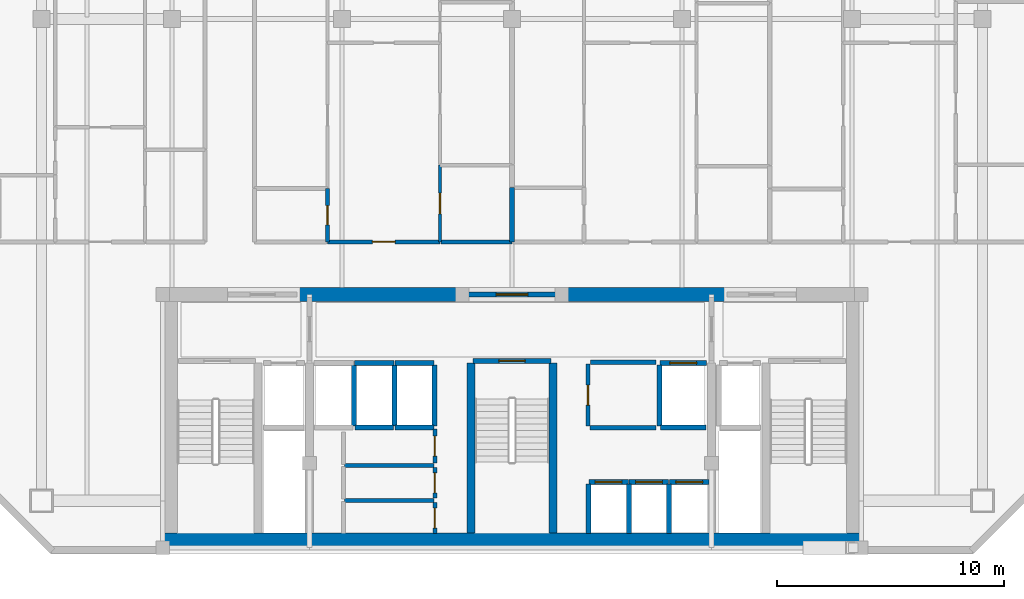
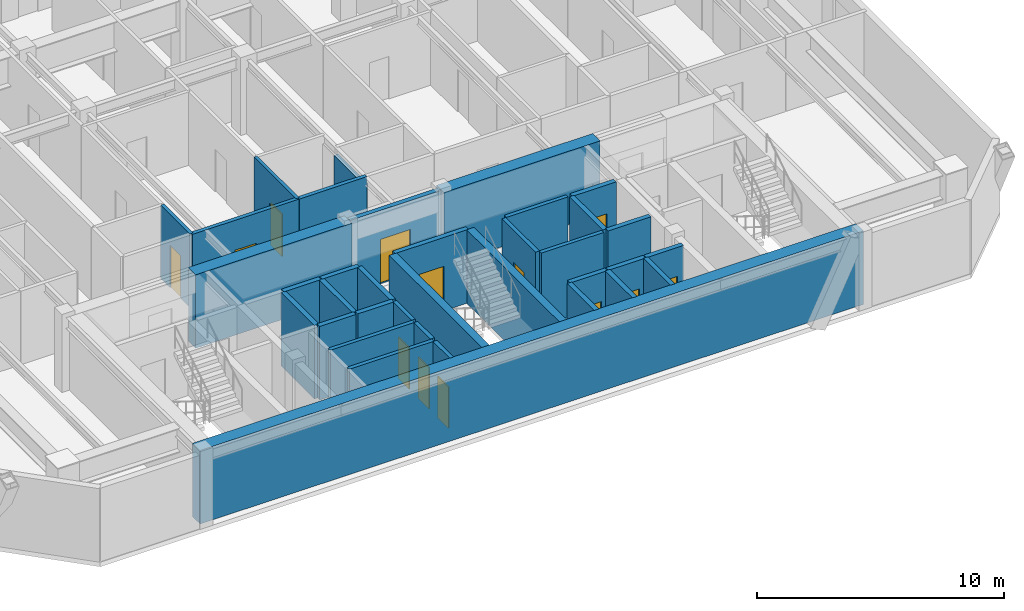
# One storey, part 3 of 9: 36 walls, 13 doors, 13 openings.
"""IFC4 building model written with IfcOpenShell, lengths in metres."""

from ifc_helpers import new_model, si_unit, direction, frame, frame_2d, origin, place, context, subcontext, project, spatial, rectangle, extrude, material, layer, layer_set, type_object, element, fill, save


model = new_model("IFC4")

# Units and contexts
model_context = context("Model", 3, precision=1e-05, world=origin(), true_north=direction((0.0, 1.0)))
body_context = subcontext(model_context, "Body", "Model", "MODEL_VIEW")
ifc_project = project(units=[si_unit("LENGTHUNIT", "METRE"), si_unit("AREAUNIT", "SQUARE_METRE"), si_unit("VOLUMEUNIT", "CUBIC_METRE"), si_unit("PLANEANGLEUNIT", "RADIAN"), si_unit("MASSUNIT", "GRAM", prefix="KILO")], contexts=[model_context])

# Site, building, storey
site_placement = place(None, origin())
site = spatial("IfcSite", under=ifc_project, at=site_placement, CompositionType="ELEMENT")
building_placement = place(site_placement, origin())
building = spatial("IfcBuilding", under=site, at=building_placement, Name="Ventersveld Concourse Tower", CompositionType="ELEMENT")
storey_placement = place(building_placement, frame((0.0, 0.0, 215.699951171875)))
storey = spatial("IfcBuildingStorey", under=building, at=storey_placement, Name="L53", CompositionType="ELEMENT", Elevation=215.699951171875)

# Walls
ifc_material_1 = material(Name="Concrete C50/60", Category="concrete")
ifc_layer_1 = layer(ifc_material_1, 0.35009765625)
ifc_layer_set_1 = layer_set([ifc_layer_1], Name="Concrete C50/60")
wall_type_1 = type_object("IfcWallType", Name="WL-CORE-350U", PredefinedType="SHEAR", material=ifc_layer_set_1)
for number, where, z_axis, x_axis, name in (
    (1, (26.93994140625, 0.919921875, 0.0), (0.0, 0.0, 1.0), (0.0, 1.0, 0.0), "L53 Core Internal Shear Web W-ST3-W"),
    (2, (30.56005859375, 0.919921875, 0.0), (0.0, 0.0, 1.0), (0.0, 1.0, 0.0), "L53 Core Internal Shear Web W-ST3-E"),
):
    element("IfcWall", number, at=place(storey_placement, frame(where, z_axis=z_axis, x_axis=x_axis)), inside=storey, type_object=wall_type_1, Name=name, PredefinedType="SHEAR", context=body_context, shape_type="SweptSolid", body=[
        extrude(rectangle(XDim=7.5, YDim=0.35009765625, at=frame_2d((3.75, 0.0))), origin(), (0.0, 0.0, 1.0), 3.630126953125),
    ])
ifc_layer_2 = layer(ifc_material_1, 0.60009765625)
ifc_layer_set_2 = layer_set([ifc_layer_2], Name="Concrete C50/60")
wall_type_2 = type_object("IfcWallType", Name="WL-CORE-600", PredefinedType="SHEAR", material=ifc_layer_set_2)
wall_1_placement = place(storey_placement, frame((13.25, 0.6201171875, 0.0), z_axis=(0.0, 0.0, 1.0), x_axis=(1.0, 0.0, 0.0)))
element("IfcWall", 3, at=wall_1_placement, inside=storey, type_object=wall_type_2, Name="L53 Rear Core South Shear Wall", PredefinedType="SHEAR", context=body_context, shape_type="SweptSolid", body=[
    extrude(rectangle(XDim=31.0, YDim=0.60009765625, at=frame_2d((15.5, 0.0))), origin(), (0.0, 0.0, 1.0), 3.630126953125),
])
for number, where, z_axis, x_axis, name in (
    (4, (19.300048828125, 11.449951171875, 0.0), (0.0, 0.0, 1.0), (1.0, 0.0, 0.0), "L53 Rear Core North Shear Wall NML"),
    (5, (30.89990234375, 11.449951171875, 0.0), (0.0, 0.0, 1.0), (1.0, 0.0, 0.0), "L53 Rear Core North Shear Wall NMR"),
):
    element("IfcWall", number, at=place(storey_placement, frame(where, z_axis=z_axis, x_axis=x_axis)), inside=storey, type_object=wall_type_2, Name=name, PredefinedType="SHEAR", context=body_context, shape_type="SweptSolid", body=[
        extrude(rectangle(XDim=7.300048828125, YDim=0.60009765625, at=frame_2d((3.64990234375, 0.0))), origin(), (0.0, 0.0, 1.0), 3.630126953125),
    ])

# Wall, opening, door
ifc_material_2 = material(Name="Fire-rated autoclaved aerated masonry blockwork", Category="masonry")
ifc_layer_3 = layer(ifc_material_2, 0.179931640625)
ifc_layer_set_3 = layer_set([ifc_layer_3], Name="Fire-rated autoclaved aerated masonry blockwork")
wall_type_3 = type_object("IfcWallType", Name="WL-CORR-180", PredefinedType="PARTITIONING", material=ifc_layer_set_3)
wall_2_placement = place(storey_placement, frame((25.35009765625, 0.89990234375, 0.0), z_axis=(0.0, 0.0, 1.0), x_axis=(0.0, 1.0, 0.0)))
wall_2 = element("IfcWall", 6, at=wall_2_placement, inside=storey, type_object=wall_type_3, Name="L53 Core Passage Wall SP-L53-RECB1S", PredefinedType="PARTITIONING", context=body_context, shape_type="SweptSolid", body=[
    extrude(rectangle(XDim=1.3701171875, YDim=0.179931640625, at=frame_2d((0.68505859375, 0.0))), origin(), (0.0, 0.0, 1.0), 3.630126953125),
])
opening_1_placement = place(wall_2_placement, frame((0.2451171875, 0.0, 0.0)))
opening_1 = element("IfcOpeningElement", 7, at=opening_1_placement, cuts=wall_2, Name="Opening FD5", PredefinedType="OPENING", context=body_context, shape_type="SweptSolid", body=[
    extrude(rectangle(XDim=0.8798828125, YDim=2.050048828125, at=frame_2d((0.43994140625, 1.02490234375))), frame((0.0, 0.10009765625, 0.0), z_axis=(0.0, -1.0, 0.0), x_axis=(1.0, 0.0, 0.0)), (0.0, 0.0, 1.0), 0.199951171875),
])
ifc_material_3 = material(Name="Galvanised painted steel", Category="steel")
door_type_1 = type_object("IfcDoorType", Name="DR-RISER-088", OperationType="NOTDEFINED", PredefinedType="DOOR", material=ifc_material_3)
door_1_placement = place(opening_1_placement, origin())
door_1 = element("IfcDoor", 8, at=door_1_placement, inside=storey, type_object=door_type_1, Name="L53 Core Room Door L53 Reclaimed Core Wine Cellar Store (CD-L53-2561)", OperationType="SINGLE_SWING_RIGHT", OverallHeight=2.050048828125, OverallWidth=0.8798828125, PredefinedType="DOOR", context=body_context, shape_type="SweptSolid", body=[
    extrude(rectangle(XDim=0.8798828125, YDim=2.050048828125, at=frame_2d((0.43994140625, 1.02490234375))), frame((0.0, 0.02490234375, 0.0), z_axis=(0.0, -1.0, 0.0), x_axis=(1.0, 0.0, 0.0)), (0.0, 0.0, 1.0), 0.050048828125),
])
fill(opening_1, door_1)

# Wall
wall_3_placement = place(storey_placement, frame((21.360107421875, 2.360107421875, 0.0), z_axis=(0.0, 0.0, 1.0), x_axis=(1.0, 0.0, 0.0)))
element("IfcWall", 9, at=wall_3_placement, inside=storey, type_object=wall_type_3, Name="L53 Core Top Wall SP-L53-RECB1S", PredefinedType="PARTITIONING", context=body_context, shape_type="SweptSolid", body=[
    extrude(rectangle(XDim=3.93994140625, YDim=0.179931640625, at=frame_2d((1.969970703125, 0.0))), origin(), (0.0, 0.0, 1.0), 3.630126953125),
])

# Wall, opening, door
wall_4_placement = place(storey_placement, frame((25.35009765625, 2.469970703125, 0.0), z_axis=(0.0, 0.0, 1.0), x_axis=(0.0, 1.0, 0.0)))
wall_4 = element("IfcWall", 10, at=wall_4_placement, inside=storey, type_object=wall_type_3, Name="L53 Core Passage Wall SP-L53-RECB1M", PredefinedType="PARTITIONING", context=body_context, shape_type="SweptSolid", body=[
    extrude(rectangle(XDim=1.340087890625, YDim=0.179931640625, at=frame_2d((0.669921875, 0.0))), origin(), (0.0, 0.0, 1.0), 3.630126953125),
])
opening_2_placement = place(wall_4_placement, frame((0.22998046875, 0.0, 0.0)))
opening_2 = element("IfcOpeningElement", 11, at=opening_2_placement, cuts=wall_4, Name="Opening FD5", PredefinedType="OPENING", context=body_context, shape_type="SweptSolid", body=[
    extrude(rectangle(XDim=0.8798828125, YDim=2.050048828125, at=frame_2d((0.43994140625, 1.02490234375))), frame((0.0, 0.10009765625, 0.0), z_axis=(0.0, -1.0, 0.0), x_axis=(1.0, 0.0, 0.0)), (0.0, 0.0, 1.0), 0.199951171875),
])
door_2_placement = place(opening_2_placement, origin())
door_2 = element("IfcDoor", 12, at=door_2_placement, inside=storey, type_object=door_type_1, Name="L53 Core Room Door L53 Reclaimed Core Archive Store (CD-L53-2562)", OperationType="SINGLE_SWING_LEFT", OverallHeight=2.050048828125, OverallWidth=0.8798828125, PredefinedType="DOOR", context=body_context, shape_type="SweptSolid", body=[
    extrude(rectangle(XDim=0.8798828125, YDim=2.050048828125, at=frame_2d((0.43994140625, 1.02490234375))), frame((0.0, 0.02490234375, 0.0), z_axis=(0.0, -1.0, 0.0), x_axis=(1.0, 0.0, 0.0)), (0.0, 0.0, 1.0), 0.050048828125),
])
fill(opening_2, door_2)

# Wall
wall_5_placement = place(storey_placement, frame((21.360107421875, 3.89990234375, 0.0), z_axis=(0.0, 0.0, 1.0), x_axis=(1.0, 0.0, 0.0)))
element("IfcWall", 13, at=wall_5_placement, inside=storey, type_object=wall_type_3, Name="L53 Core Top Wall SP-L53-RECB1M", PredefinedType="PARTITIONING", context=body_context, shape_type="SweptSolid", body=[
    extrude(rectangle(XDim=3.93994140625, YDim=0.179931640625, at=frame_2d((1.969970703125, 0.0))), origin(), (0.0, 0.0, 1.0), 3.630126953125),
])

# Wall, opening, door
wall_6_placement = place(storey_placement, frame((25.35009765625, 4.010009765625, 0.0), z_axis=(0.0, 0.0, 1.0), x_axis=(0.0, 1.0, 0.0)))
wall_6 = element("IfcWall", 14, at=wall_6_placement, inside=storey, type_object=wall_type_3, Name="L53 Core Passage Wall SP-L53-RECB1N", PredefinedType="PARTITIONING", context=body_context, shape_type="SweptSolid", body=[
    extrude(rectangle(XDim=1.510009765625, YDim=0.179931640625, at=frame_2d((0.7548828125, 0.0))), origin(), (0.0, 0.0, 1.0), 3.630126953125),
])
opening_3_placement = place(wall_6_placement, frame((0.31494140625, 0.0, 0.0)))
opening_3 = element("IfcOpeningElement", 15, at=opening_3_placement, cuts=wall_6, Name="Opening FD5", PredefinedType="OPENING", context=body_context, shape_type="SweptSolid", body=[
    extrude(rectangle(XDim=0.8798828125, YDim=2.050048828125, at=frame_2d((0.43994140625, 1.02490234375))), frame((0.0, 0.10009765625, 0.0), z_axis=(0.0, -1.0, 0.0), x_axis=(1.0, 0.0, 0.0)), (0.0, 0.0, 1.0), 0.199951171875),
])
door_3_placement = place(opening_3_placement, origin())
door_3 = element("IfcDoor", 16, at=door_3_placement, inside=storey, type_object=door_type_1, Name="L53 Core Room Door L53 Reclaimed Core Pram and Cycle Store (CD-L53-2563)", OperationType="SINGLE_SWING_RIGHT", OverallHeight=2.050048828125, OverallWidth=0.8798828125, PredefinedType="DOOR", context=body_context, shape_type="SweptSolid", body=[
    extrude(rectangle(XDim=0.8798828125, YDim=2.050048828125, at=frame_2d((0.43994140625, 1.02490234375))), frame((0.0, 0.02490234375, 0.0), z_axis=(0.0, -1.0, 0.0), x_axis=(1.0, 0.0, 0.0)), (0.0, 0.0, 1.0), 0.050048828125),
])
fill(opening_3, door_3)

wall_7_placement = place(storey_placement, frame((32.10009765625, 5.64990234375, 0.0), z_axis=(0.0, 0.0, 1.0), x_axis=(0.0, 1.0, 0.0)))
wall_7 = element("IfcWall", 17, at=wall_7_placement, inside=storey, type_object=wall_type_3, Name="L53 Core Passage Wall SP-L53-CBAY1", PredefinedType="PARTITIONING", context=body_context, shape_type="SweptSolid", body=[
    extrude(rectangle(XDim=2.72998046875, YDim=0.179931640625, at=frame_2d((1.364990234375, 0.0))), origin(), (0.0, 0.0, 1.0), 3.630126953125),
])
opening_4_placement = place(wall_7_placement, frame((0.925048828125, 0.0, 0.0)))
opening_4 = element("IfcOpeningElement", 18, at=opening_4_placement, cuts=wall_7, Name="Opening FD5", PredefinedType="OPENING", context=body_context, shape_type="SweptSolid", body=[
    extrude(rectangle(XDim=0.8798828125, YDim=2.050048828125, at=frame_2d((0.43994140625, 1.02490234375))), frame((0.0, 0.10009765625, 0.0), z_axis=(0.0, -1.0, 0.0), x_axis=(1.0, 0.0, 0.0)), (0.0, 0.0, 1.0), 0.199951171875),
])
door_4_placement = place(opening_4_placement, origin())
door_4 = element("IfcDoor", 19, at=door_4_placement, inside=storey, type_object=door_type_1, Name="L53 Core Room Door L53 Core Housekeeping Linen Store (CD-L53-2564)", OperationType="SINGLE_SWING_LEFT", OverallHeight=2.050048828125, OverallWidth=0.8798828125, PredefinedType="DOOR", context=body_context, shape_type="SweptSolid", body=[
    extrude(rectangle(XDim=0.8798828125, YDim=2.050048828125, at=frame_2d((0.43994140625, 1.02490234375))), frame((0.0, 0.02490234375, 0.0), z_axis=(0.0, -1.0, 0.0), x_axis=(1.0, 0.0, 0.0)), (0.0, 0.0, 1.0), 0.050048828125),
])
fill(opening_4, door_4)

# Walls
wall_8_placement = place(storey_placement, frame((32.219970703125, 8.4599609375, 0.0), z_axis=(0.0, 0.0, 1.0), x_axis=(1.0, 0.0, 0.0)))
element("IfcWall", 20, at=wall_8_placement, inside=storey, type_object=wall_type_3, Name="L53 Core Top Wall SP-L53-CBAY1", PredefinedType="PARTITIONING", context=body_context, shape_type="SweptSolid", body=[
    extrude(rectangle(XDim=2.880126953125, YDim=0.179931640625, at=frame_2d((1.43994140625, 0.0))), origin(), (0.0, 0.0, 1.0), 3.630126953125),
])
wall_9_placement = place(storey_placement, frame((32.179931640625, 5.570068359375, 0.0), z_axis=(0.0, 0.0, 1.0), x_axis=(1.0, 0.0, 0.0)))
element("IfcWall", 21, at=wall_9_placement, inside=storey, type_object=wall_type_3, Name="L53 Core Bot Wall SP-L53-CBAY1", PredefinedType="PARTITIONING", context=body_context, shape_type="SweptSolid", body=[
    extrude(rectangle(XDim=2.920166015625, YDim=0.179931640625, at=frame_2d((1.4599609375, 0.0))), origin(), (0.0, 0.0, 1.0), 3.630126953125),
])

# Wall, opening, door
wall_10_placement = place(storey_placement, frame((20.60693359375, 13.77001953125, 0.0), z_axis=(0.0, 0.0, 1.0), x_axis=(1.0, 0.0, 0.0)))
wall_10 = element("IfcWall", 22, at=wall_10_placement, inside=storey, type_object=wall_type_3, Name="L53 Interior Partition SP-L53-COR-SP-L53-53N1-FOY", PredefinedType="PARTITIONING", context=body_context, shape_type="SweptSolid", body=[
    extrude(rectangle(XDim=4.97265625, YDim=0.179931640625, at=frame_2d((2.486328125, 0.0))), origin(), (0.0, 0.0, 1.0), 3.630126953125),
])
opening_5_placement = place(wall_10_placement, frame((1.986328125, 0.0, 0.0)))
opening_5 = element("IfcOpeningElement", 23, at=opening_5_placement, cuts=wall_10, Name="Opening FD3", PredefinedType="OPENING", context=body_context, shape_type="SweptSolid", body=[
    extrude(rectangle(XDim=1.0, YDim=2.14990234375, at=frame_2d((0.5, 1.074951171875))), frame((0.0, 0.10009765625, 0.0), z_axis=(0.0, -1.0, 0.0), x_axis=(1.0, 0.0, 0.0)), (0.0, 0.0, 1.0), 0.199951171875),
])
ifc_material_4 = material(Name="Solid-core hardwood veneer timber", Category="wood")
door_type_2 = type_object("IfcDoorType", Name="DR-FLAT-100", OperationType="NOTDEFINED", PredefinedType="DOOR", material=ifc_material_4)
door_5_placement = place(opening_5_placement, origin())
door_5 = element("IfcDoor", 24, at=door_5_placement, inside=storey, type_object=door_type_2, Name="L53 Interior Door SP-L53-COR to SP-L53-53N1-FOY (FD-L53-2566)", OperationType="SINGLE_SWING_RIGHT", OverallHeight=2.14990234375, OverallWidth=1.0, PredefinedType="DOOR", context=body_context, shape_type="SweptSolid", body=[
    extrude(rectangle(XDim=1.0, YDim=2.14990234375, at=frame_2d((0.5, 1.074951171875))), frame((0.0, 0.02490234375, 0.0), z_axis=(0.0, -1.0, 0.0), x_axis=(1.0, 0.0, 0.0)), (0.0, 0.0, 1.0), 0.050048828125),
])
fill(opening_5, door_5)

# Walls
wall_11_placement = place(storey_placement, frame((25.609619140625, 13.77001953125, 0.0), z_axis=(0.0, 0.0, 1.0), x_axis=(1.0, 0.0, 0.0)))
element("IfcWall", 25, at=wall_11_placement, inside=storey, type_object=wall_type_3, Name="L53 Interior Partition SP-L53-COR-SP-L53-53N1-KIT", PredefinedType="PARTITIONING", context=body_context, shape_type="SweptSolid", body=[
    extrude(rectangle(XDim=3.145263671875, YDim=0.179931640625, at=frame_2d((1.57275390625, 0.0))), origin(), (0.0, 0.0, 1.0), 3.630126953125),
])
ifc_layer_4 = layer(ifc_material_2, 0.199951171875)
ifc_layer_set_4 = layer_set([ifc_layer_4], Name="Fire-rated autoclaved aerated masonry blockwork")
wall_type_4 = type_object("IfcWallType", Name="WL-DEMISE-200", PredefinedType="PARTITIONING", material=ifc_layer_set_4)
wall_12_placement = place(storey_placement, frame((28.75, 13.764892578125, 0.0), z_axis=(0.0, 0.0, 1.0), x_axis=(0.0, 1.0, 0.0)))
element("IfcWall", 26, at=wall_12_placement, inside=storey, type_object=wall_type_4, Name="L53 Interior Partition SP-L53-53N1-KIT-SP-L53-53N2-BATH", PredefinedType="PARTITIONING", context=body_context, shape_type="SweptSolid", body=[
    extrude(rectangle(XDim=2.3935546875, YDim=0.199951171875, at=frame_2d((1.19677734375, 0.0))), origin(), (0.0, 0.0, 1.0), 3.2236328125),
])
ifc_layer_5 = layer(ifc_material_2, 0.219970703125)
ifc_layer_set_5 = layer_set([ifc_layer_5], Name="Fire-rated autoclaved aerated masonry blockwork")
wall_type_5 = type_object("IfcWallType", Name="WL-HOIST-220", PredefinedType="SOLIDWALL", material=ifc_layer_set_5)
wall_13_placement = place(storey_placement, frame((35.300048828125, 5.590087890625, 0.0), z_axis=(0.0, 0.0, 1.0), x_axis=(1.0, 0.0, 0.0)))
element("IfcWall", 27, at=wall_13_placement, inside=storey, type_object=wall_type_5, Name="L53 Lift Hoistway Back Wall SVL-01", PredefinedType="SOLIDWALL", context=body_context, shape_type="SweptSolid", body=[
    extrude(rectangle(XDim=2.0, YDim=0.219970703125, at=frame_2d((1.0, 0.0))), origin(), (0.0, 0.0, 1.0), 3.630126953125),
])
wall_14_placement = place(storey_placement, frame((35.260009765625, 5.64990234375, 0.0), z_axis=(0.0, 0.0, 1.0), x_axis=(0.0, 1.0, 0.0)))
element("IfcWall", 28, at=wall_14_placement, inside=storey, type_object=wall_type_5, Name="L53 Lift Hoistway Side Wall SVL-01W", PredefinedType="SOLIDWALL", context=body_context, shape_type="SweptSolid", body=[
    extrude(rectangle(XDim=2.7001953125, YDim=0.219970703125, at=frame_2d((1.35009765625, 0.0))), origin(), (0.0, 0.0, 1.0), 3.630126953125),
])

# Wall, opening, door
wall_15_placement = place(storey_placement, frame((35.280029296875, 8.429931640625, 0.0), z_axis=(0.0, 0.0, 1.0), x_axis=(1.0, 0.0, 0.0)))
wall_15 = element("IfcWall", 29, at=wall_15_placement, inside=storey, type_object=wall_type_5, Name="L53 Lift Hoistway Front Wall SVL-01", PredefinedType="SOLIDWALL", context=body_context, shape_type="SweptSolid", body=[
    extrude(rectangle(XDim=2.0400390625, YDim=0.219970703125, at=frame_2d((1.02001953125, 0.0))), origin(), (0.0, 0.0, 1.0), 3.630126953125),
])
opening_6_placement = place(wall_15_placement, frame((0.429931640625, 0.0, 0.0)))
opening_6 = element("IfcOpeningElement", 30, at=opening_6_placement, cuts=wall_15, Name="Opening LD2", PredefinedType="OPENING", context=body_context, shape_type="SweptSolid", body=[
    extrude(rectangle(XDim=1.179931640625, YDim=2.199951171875, at=frame_2d((0.58984375, 1.10009765625))), frame((0.0, 0.1201171875, 0.0), z_axis=(0.0, -1.0, 0.0), x_axis=(1.0, 0.0, 0.0)), (0.0, 0.0, 1.0), 0.239990234375),
])
ifc_material_5 = material(Name="Brushed stainless steel 316", Category="steel")
door_type_3 = type_object("IfcDoorType", Name="LD-PAX-118", OperationType="SLIDING_TO_LEFT", PredefinedType="DOOR", material=ifc_material_5)
door_6_placement = place(opening_6_placement, origin())
door_6 = element("IfcDoor", 31, at=door_6_placement, inside=storey, type_object=door_type_3, Name="L53 Lift landing door SVL-01 (LD-L53-SVL-01)", OperationType="SLIDING_TO_LEFT", OverallHeight=2.199951171875, OverallWidth=1.179931640625, PredefinedType="DOOR", context=body_context, shape_type="SweptSolid", body=[
    extrude(rectangle(XDim=1.179931640625, YDim=2.199951171875, at=frame_2d((0.58984375, 1.10009765625))), frame((0.0, 0.02490234375, 0.0), z_axis=(0.0, -1.0, 0.0), x_axis=(1.0, 0.0, 0.0)), (0.0, 0.0, 1.0), 0.050048828125),
])
fill(opening_6, door_6)

# Walls
for number, where, z_axis, x_axis, name in (
    (32, (32.1201171875, 0.89990234375, 0.0), (0.0, 0.0, 1.0), (0.0, 1.0, 0.0), "L53 Lift Hoistway Side Wall PM-01W"),
    (33, (33.89990234375, 0.89990234375, 0.0), (0.0, 0.0, 1.0), (0.0, 1.0, 0.0), "L53 Lift Hoistway Side Wall PM-01E"),
):
    element("IfcWall", number, at=place(storey_placement, frame(where, z_axis=z_axis, x_axis=x_axis)), inside=storey, type_object=wall_type_5, Name=name, PredefinedType="SOLIDWALL", context=body_context, shape_type="SweptSolid", body=[
        extrude(rectangle(XDim=2.2001953125, YDim=0.219970703125, at=frame_2d((1.10009765625, 0.0))), origin(), (0.0, 0.0, 1.0), 3.630126953125),
    ])

# Wall, opening, door
wall_16_placement = place(storey_placement, frame((32.139892578125, 3.179931640625, 0.0), z_axis=(0.0, 0.0, 1.0), x_axis=(1.0, 0.0, 0.0)))
wall_16 = element("IfcWall", 34, at=wall_16_placement, inside=storey, type_object=wall_type_5, Name="L53 Lift Hoistway Front Wall PM-01", PredefinedType="SOLIDWALL", context=body_context, shape_type="SweptSolid", body=[
    extrude(rectangle(XDim=1.739990234375, YDim=0.219970703125, at=frame_2d((0.8701171875, 0.0))), origin(), (0.0, 0.0, 1.0), 3.630126953125),
])
opening_7_placement = place(wall_16_placement, frame((0.280029296875, 0.0, 0.0)))
opening_7 = element("IfcOpeningElement", 35, at=opening_7_placement, cuts=wall_16, Name="Opening LD2", PredefinedType="OPENING", context=body_context, shape_type="SweptSolid", body=[
    extrude(rectangle(XDim=1.179931640625, YDim=2.199951171875, at=frame_2d((0.58984375, 1.10009765625))), frame((0.0, 0.1201171875, 0.0), z_axis=(0.0, -1.0, 0.0), x_axis=(1.0, 0.0, 0.0)), (0.0, 0.0, 1.0), 0.239990234375),
])
door_7_placement = place(opening_7_placement, origin())
door_7 = element("IfcDoor", 36, at=door_7_placement, inside=storey, type_object=door_type_3, Name="L53 Lift landing door PM-01 (LD-L53-PM-01)", OperationType="SLIDING_TO_RIGHT", OverallHeight=2.199951171875, OverallWidth=1.179931640625, PredefinedType="DOOR", context=body_context, shape_type="SweptSolid", body=[
    extrude(rectangle(XDim=1.179931640625, YDim=2.199951171875, at=frame_2d((0.58984375, 1.10009765625))), frame((0.0, 0.02490234375, 0.0), z_axis=(0.0, -1.0, 0.0), x_axis=(1.0, 0.0, 0.0)), (0.0, 0.0, 1.0), 0.050048828125),
])
fill(opening_7, door_7)

# Wall
wall_17_placement = place(storey_placement, frame((35.679931640625, 0.89990234375, 0.0), z_axis=(0.0, 0.0, 1.0), x_axis=(0.0, 1.0, 0.0)))
element("IfcWall", 37, at=wall_17_placement, inside=storey, type_object=wall_type_5, Name="L53 Lift Hoistway Side Wall PM-02E", PredefinedType="SOLIDWALL", context=body_context, shape_type="SweptSolid", body=[
    extrude(rectangle(XDim=2.2001953125, YDim=0.219970703125, at=frame_2d((1.10009765625, 0.0))), origin(), (0.0, 0.0, 1.0), 3.630126953125),
])

# Wall, opening, door
wall_18_placement = place(storey_placement, frame((33.919921875, 3.179931640625, 0.0), z_axis=(0.0, 0.0, 1.0), x_axis=(1.0, 0.0, 0.0)))
wall_18 = element("IfcWall", 38, at=wall_18_placement, inside=storey, type_object=wall_type_5, Name="L53 Lift Hoistway Front Wall PM-02", PredefinedType="SOLIDWALL", context=body_context, shape_type="SweptSolid", body=[
    extrude(rectangle(XDim=1.739990234375, YDim=0.219970703125, at=frame_2d((0.8701171875, 0.0))), origin(), (0.0, 0.0, 1.0), 3.630126953125),
])
opening_8_placement = place(wall_18_placement, frame((0.280029296875, 0.0, 0.0)))
opening_8 = element("IfcOpeningElement", 39, at=opening_8_placement, cuts=wall_18, Name="Opening LD2", PredefinedType="OPENING", context=body_context, shape_type="SweptSolid", body=[
    extrude(rectangle(XDim=1.179931640625, YDim=2.199951171875, at=frame_2d((0.58984375, 1.10009765625))), frame((0.0, 0.1201171875, 0.0), z_axis=(0.0, -1.0, 0.0), x_axis=(1.0, 0.0, 0.0)), (0.0, 0.0, 1.0), 0.239990234375),
])
door_8_placement = place(opening_8_placement, origin())
door_8 = element("IfcDoor", 40, at=door_8_placement, inside=storey, type_object=door_type_3, Name="L53 Lift landing door PM-02 (LD-L53-PM-02)", OperationType="SLIDING_TO_LEFT", OverallHeight=2.199951171875, OverallWidth=1.179931640625, PredefinedType="DOOR", context=body_context, shape_type="SweptSolid", body=[
    extrude(rectangle(XDim=1.179931640625, YDim=2.199951171875, at=frame_2d((0.58984375, 1.10009765625))), frame((0.0, 0.02490234375, 0.0), z_axis=(0.0, -1.0, 0.0), x_axis=(1.0, 0.0, 0.0)), (0.0, 0.0, 1.0), 0.050048828125),
])
fill(opening_8, door_8)

wall_19_placement = place(storey_placement, frame((35.699951171875, 3.179931640625, 0.0), z_axis=(0.0, 0.0, 1.0), x_axis=(1.0, 0.0, 0.0)))
wall_19 = element("IfcWall", 41, at=wall_19_placement, inside=storey, type_object=wall_type_5, Name="L53 Lift Hoistway Front Wall PM-03", PredefinedType="SOLIDWALL", context=body_context, shape_type="SweptSolid", body=[
    extrude(rectangle(XDim=1.739990234375, YDim=0.219970703125, at=frame_2d((0.8701171875, 0.0))), origin(), (0.0, 0.0, 1.0), 3.630126953125),
])
opening_9_placement = place(wall_19_placement, frame((0.280029296875, 0.0, 0.0)))
opening_9 = element("IfcOpeningElement", 42, at=opening_9_placement, cuts=wall_19, Name="Opening LD2", PredefinedType="OPENING", context=body_context, shape_type="SweptSolid", body=[
    extrude(rectangle(XDim=1.179931640625, YDim=2.199951171875, at=frame_2d((0.58984375, 1.10009765625))), frame((0.0, 0.1201171875, 0.0), z_axis=(0.0, -1.0, 0.0), x_axis=(1.0, 0.0, 0.0)), (0.0, 0.0, 1.0), 0.239990234375),
])
door_9_placement = place(opening_9_placement, origin())
door_9 = element("IfcDoor", 43, at=door_9_placement, inside=storey, type_object=door_type_3, Name="L53 Lift landing door PM-03 (LD-L53-PM-03)", OperationType="SLIDING_TO_RIGHT", OverallHeight=2.199951171875, OverallWidth=1.179931640625, PredefinedType="DOOR", context=body_context, shape_type="SweptSolid", body=[
    extrude(rectangle(XDim=1.179931640625, YDim=2.199951171875, at=frame_2d((0.58984375, 1.10009765625))), frame((0.0, 0.02490234375, 0.0), z_axis=(0.0, -1.0, 0.0), x_axis=(1.0, 0.0, 0.0)), (0.0, 0.0, 1.0), 0.050048828125),
])
fill(opening_9, door_9)

# Walls
wall_20_placement = place(storey_placement, frame((21.780029296875, 5.64990234375, 0.0), z_axis=(0.0, 0.0, 1.0), x_axis=(0.0, 1.0, 0.0)))
element("IfcWall", 44, at=wall_20_placement, inside=storey, type_object=wall_type_5, Name="L53 Lift Hoistway Side Wall PH-01E", PredefinedType="SOLIDWALL", context=body_context, shape_type="SweptSolid", body=[
    extrude(rectangle(XDim=2.7001953125, YDim=0.219970703125, at=frame_2d((1.35009765625, 0.0))), origin(), (0.0, 0.0, 1.0), 3.630126953125),
])
wall_21_placement = place(storey_placement, frame((21.820068359375, 5.590087890625, 0.0), z_axis=(0.0, 0.0, 1.0), x_axis=(1.0, 0.0, 0.0)))
element("IfcWall", 45, at=wall_21_placement, inside=storey, type_object=wall_type_5, Name="L53 Lift Hoistway Back Wall PH-02", PredefinedType="SOLIDWALL", context=body_context, shape_type="SweptSolid", body=[
    extrude(rectangle(XDim=1.699951171875, YDim=0.219970703125, at=frame_2d((0.85009765625, 0.0))), origin(), (0.0, 0.0, 1.0), 3.630126953125),
])
wall_22_placement = place(storey_placement, frame((23.56005859375, 5.64990234375, 0.0), z_axis=(0.0, 0.0, 1.0), x_axis=(0.0, 1.0, 0.0)))
element("IfcWall", 46, at=wall_22_placement, inside=storey, type_object=wall_type_5, Name="L53 Lift Hoistway Side Wall PH-02E", PredefinedType="SOLIDWALL", context=body_context, shape_type="SweptSolid", body=[
    extrude(rectangle(XDim=2.7001953125, YDim=0.219970703125, at=frame_2d((1.35009765625, 0.0))), origin(), (0.0, 0.0, 1.0), 3.630126953125),
])
wall_23_placement = place(storey_placement, frame((21.800048828125, 8.429931640625, 0.0), z_axis=(0.0, 0.0, 1.0), x_axis=(1.0, 0.0, 0.0)))
element("IfcWall", 47, at=wall_23_placement, inside=storey, type_object=wall_type_5, Name="L53 Lift Hoistway Front Wall PH-02", PredefinedType="SOLIDWALL", context=body_context, shape_type="SweptSolid", body=[
    extrude(rectangle(XDim=1.739990234375, YDim=0.219970703125, at=frame_2d((0.8701171875, 0.0))), origin(), (0.0, 0.0, 1.0), 3.630126953125),
])
wall_24_placement = place(storey_placement, frame((23.60009765625, 5.590087890625, 0.0), z_axis=(0.0, 0.0, 1.0), x_axis=(1.0, 0.0, 0.0)))
element("IfcWall", 48, at=wall_24_placement, inside=storey, type_object=wall_type_5, Name="L53 Lift Hoistway Back Wall PH-03", PredefinedType="SOLIDWALL", context=body_context, shape_type="SweptSolid", body=[
    extrude(rectangle(XDim=1.699951171875, YDim=0.219970703125, at=frame_2d((0.85009765625, 0.0))), origin(), (0.0, 0.0, 1.0), 3.630126953125),
])
wall_25_placement = place(storey_placement, frame((25.340087890625, 5.64990234375, 0.0), z_axis=(0.0, 0.0, 1.0), x_axis=(0.0, 1.0, 0.0)))
element("IfcWall", 49, at=wall_25_placement, inside=storey, type_object=wall_type_5, Name="L53 Lift Hoistway Side Wall PH-03E", PredefinedType="SOLIDWALL", context=body_context, shape_type="SweptSolid", body=[
    extrude(rectangle(XDim=2.7001953125, YDim=0.219970703125, at=frame_2d((1.35009765625, 0.0))), origin(), (0.0, 0.0, 1.0), 3.630126953125),
])
wall_26_placement = place(storey_placement, frame((23.580078125, 8.429931640625, 0.0), z_axis=(0.0, 0.0, 1.0), x_axis=(1.0, 0.0, 0.0)))
element("IfcWall", 50, at=wall_26_placement, inside=storey, type_object=wall_type_5, Name="L53 Lift Hoistway Front Wall PH-03", PredefinedType="SOLIDWALL", context=body_context, shape_type="SweptSolid", body=[
    extrude(rectangle(XDim=1.739990234375, YDim=0.219970703125, at=frame_2d((0.8701171875, 0.0))), origin(), (0.0, 0.0, 1.0), 3.630126953125),
])

# Wall, opening, door
wall_27_placement = place(storey_placement, frame((27.0400390625, 8.52001953125, 0.0), z_axis=(0.0, 0.0, 1.0), x_axis=(1.0, 0.0, 0.0)))
wall_27 = element("IfcWall", 51, at=wall_27_placement, inside=storey, type_object=wall_type_5, Name="L53 Escape Stair ST03 Fire Wall", PredefinedType="SOLIDWALL", context=body_context, shape_type="SweptSolid", body=[
    extrude(rectangle(XDim=3.419921875, YDim=0.219970703125, at=frame_2d((1.7099609375, 0.0))), origin(), (0.0, 0.0, 1.0), 3.630126953125),
])
opening_10_placement = place(wall_27_placement, frame((1.135009765625, 0.0, 0.0)))
opening_10 = element("IfcOpeningElement", 52, at=opening_10_placement, cuts=wall_27, Name="Opening FD1", PredefinedType="OPENING", context=body_context, shape_type="SweptSolid", body=[
    extrude(rectangle(XDim=1.14990234375, YDim=2.199951171875, at=frame_2d((0.574951171875, 1.10009765625))), frame((0.0, 0.1201171875, 0.0), z_axis=(0.0, -1.0, 0.0), x_axis=(1.0, 0.0, 0.0)), (0.0, 0.0, 1.0), 0.239990234375),
])
door_type_4 = type_object("IfcDoorType", Name="DR-STAIR-115", OperationType="NOTDEFINED", PredefinedType="DOOR", material=ifc_material_3)
door_10_placement = place(opening_10_placement, origin())
door_10 = element("IfcDoor", 53, at=door_10_placement, inside=storey, type_object=door_type_4, Name="L53 Escape Stair Door ST03 (SD-L53-2555)", OperationType="SINGLE_SWING_LEFT", OverallHeight=2.199951171875, OverallWidth=1.14990234375, PredefinedType="DOOR", context=body_context, shape_type="SweptSolid", body=[
    extrude(rectangle(XDim=1.14990234375, YDim=2.199951171875, at=frame_2d((0.574951171875, 1.10009765625))), frame((0.0, 0.02490234375, 0.0), z_axis=(0.0, -1.0, 0.0), x_axis=(1.0, 0.0, 0.0)), (0.0, 0.0, 1.0), 0.050048828125),
])
fill(opening_10, door_10)

wall_28_placement = place(storey_placement, frame((26.6298828125, 11.449951171875, 0.0), z_axis=(0.0, 0.0, 1.0), x_axis=(1.0, 0.0, 0.0)))
wall_28 = element("IfcWall", 54, at=wall_28_placement, inside=storey, type_object=wall_type_5, Name="L53 Core North Fire Portal PLOB-OUT", PredefinedType="SOLIDWALL", context=body_context, shape_type="SweptSolid", body=[
    extrude(rectangle(XDim=4.240234375, YDim=0.219970703125, at=frame_2d((2.1201171875, 0.0))), origin(), (0.0, 0.0, 1.0), 3.630126953125),
])
opening_11_placement = place(wall_28_placement, frame((1.419921875, 0.0, 0.0)))
opening_11 = element("IfcOpeningElement", 55, at=opening_11_placement, cuts=wall_28, Name="Opening FD4", PredefinedType="OPENING", context=body_context, shape_type="SweptSolid", body=[
    extrude(rectangle(XDim=1.39990234375, YDim=2.199951171875, at=frame_2d((0.699951171875, 1.10009765625))), frame((0.0, 0.1201171875, 0.0), z_axis=(0.0, -1.0, 0.0), x_axis=(1.0, 0.0, 0.0)), (0.0, 0.0, 1.0), 0.239990234375),
])
door_type_5 = type_object("IfcDoorType", Name="DR-PLANT-140", OperationType="DOUBLE_DOOR_SINGLE_SWING", PredefinedType="DOOR", material=ifc_material_3)
door_11_placement = place(opening_11_placement, origin())
door_11 = element("IfcDoor", 56, at=door_11_placement, inside=storey, type_object=door_type_5, Name="L53 Core Lobby Fire Door PLOB-OUT (FD-L53-2559)", OperationType="DOUBLE_DOOR_SINGLE_SWING", OverallHeight=2.199951171875, OverallWidth=1.39990234375, PredefinedType="DOOR", context=body_context, shape_type="SweptSolid", body=[
    extrude(rectangle(XDim=1.39990234375, YDim=2.199951171875, at=frame_2d((0.699951171875, 1.10009765625))), frame((0.0, 0.02490234375, 0.0), z_axis=(0.0, -1.0, 0.0), x_axis=(1.0, 0.0, 0.0)), (0.0, 0.0, 1.0), 0.050048828125),
])
fill(opening_11, door_11)

ifc_material_6 = material(Name="Autoclaved aerated masonry blockwork", Category="masonry")
ifc_layer_6 = layer(ifc_material_6, 0.14990234375)
ifc_layer_set_6 = layer_set([ifc_layer_6], Name="Autoclaved aerated masonry blockwork")
wall_type_6 = type_object("IfcWallType", Name="WL-INT-150", PredefinedType="PARTITIONING", material=ifc_layer_set_6)
wall_29_placement = place(storey_placement, frame((25.57470703125, 13.764892578125, 0.0), z_axis=(0.0, 0.0, 1.0), x_axis=(0.0, 1.0, 0.0)))
wall_29 = element("IfcWall", 57, at=wall_29_placement, inside=storey, type_object=wall_type_6, Name="L53 Interior Partition SP-L53-53N1-FOY-SP-L53-53N1-KIT", PredefinedType="PARTITIONING", context=body_context, shape_type="SweptSolid", body=[
    extrude(rectangle(XDim=3.39501953125, YDim=0.14990234375, at=frame_2d((1.697509765625, 0.0))), origin(), (0.0, 0.0, 1.0), 3.630126953125),
])
opening_12_placement = place(wall_29_placement, frame((1.237548828125, 0.0, 0.0)))
opening_12 = element("IfcOpeningElement", 58, at=opening_12_placement, cuts=wall_29, Name="Opening ID1", PredefinedType="OPENING", context=body_context, shape_type="SweptSolid", body=[
    extrude(rectangle(XDim=0.919921875, YDim=2.10009765625, at=frame_2d((0.4599609375, 1.050048828125))), frame((0.0, 0.0849609375, 0.0), z_axis=(0.0, -1.0, 0.0), x_axis=(1.0, 0.0, 0.0)), (0.0, 0.0, 1.0), 0.169921875),
])
door_type_6 = type_object("IfcDoorType", Name="DR-ROOM-092", OperationType="NOTDEFINED", PredefinedType="DOOR", material=ifc_material_4)
door_12_placement = place(opening_12_placement, origin())
door_12 = element("IfcDoor", 59, at=door_12_placement, inside=storey, type_object=door_type_6, Name="L53 Interior Door SP-L53-53N1-FOY to SP-L53-53N1-KIT (D-L53-2580)", OperationType="SINGLE_SWING_RIGHT", OverallHeight=2.10009765625, OverallWidth=0.919921875, PredefinedType="DOOR", context=body_context, shape_type="SweptSolid", body=[
    extrude(rectangle(XDim=0.919921875, YDim=2.10009765625, at=frame_2d((0.4599609375, 1.050048828125))), frame((0.0, 0.02490234375, 0.0), z_axis=(0.0, -1.0, 0.0), x_axis=(1.0, 0.0, 0.0)), (0.0, 0.0, 1.0), 0.050048828125),
])
fill(opening_12, door_12)

ifc_layer_7 = layer(ifc_material_6, 0.1650390625)
ifc_layer_set_7 = layer_set([ifc_layer_7], Name="Autoclaved aerated masonry blockwork")
wall_type_7 = type_object("IfcWallType", Name="WL-WET-165", PredefinedType="PLUMBINGWALL", material=ifc_layer_set_7)
wall_30_placement = place(storey_placement, frame((20.61181640625, 13.764892578125, 0.0), z_axis=(0.0, 0.0, 1.0), x_axis=(0.0, 1.0, 0.0)))
wall_30 = element("IfcWall", 60, at=wall_30_placement, inside=storey, type_object=wall_type_7, Name="L53 Interior Partition SP-L53-53N1-FOY-SP-L53-53N1-BATH", PredefinedType="PLUMBINGWALL", context=body_context, shape_type="SweptSolid", body=[
    extrude(rectangle(XDim=2.35986328125, YDim=0.1650390625, at=frame_2d((1.179931640625, 0.0))), origin(), (0.0, 0.0, 1.0), 3.630126953125),
])
opening_13_placement = place(wall_30_placement, frame((0.7548828125, 0.0, 0.0)))
opening_13 = element("IfcOpeningElement", 61, at=opening_13_placement, cuts=wall_30, Name="Opening ID2", PredefinedType="OPENING", context=body_context, shape_type="SweptSolid", body=[
    extrude(rectangle(XDim=0.85009765625, YDim=2.10009765625, at=frame_2d((0.425048828125, 1.050048828125))), frame((0.0, 0.092529296875, 0.0), z_axis=(0.0, -1.0, 0.0), x_axis=(1.0, 0.0, 0.0)), (0.0, 0.0, 1.0), 0.18505859375),
])
door_type_7 = type_object("IfcDoorType", Name="DR-BATH-085", OperationType="NOTDEFINED", PredefinedType="DOOR", material=ifc_material_4)
door_13_placement = place(opening_13_placement, origin())
door_13 = element("IfcDoor", 62, at=door_13_placement, inside=storey, type_object=door_type_7, Name="L53 Interior Door SP-L53-53N1-FOY to SP-L53-53N1-BATH (D-L53-2578)", OperationType="SINGLE_SWING_RIGHT", OverallHeight=2.10009765625, OverallWidth=0.85009765625, PredefinedType="DOOR", context=body_context, shape_type="SweptSolid", body=[
    extrude(rectangle(XDim=0.85009765625, YDim=2.10009765625, at=frame_2d((0.425048828125, 1.050048828125))), frame((0.0, 0.02490234375, 0.0), z_axis=(0.0, -1.0, 0.0), x_axis=(1.0, 0.0, 0.0)), (0.0, 0.0, 1.0), 0.050048828125),
])
fill(opening_13, door_13)

save(model, "model.ifc")
